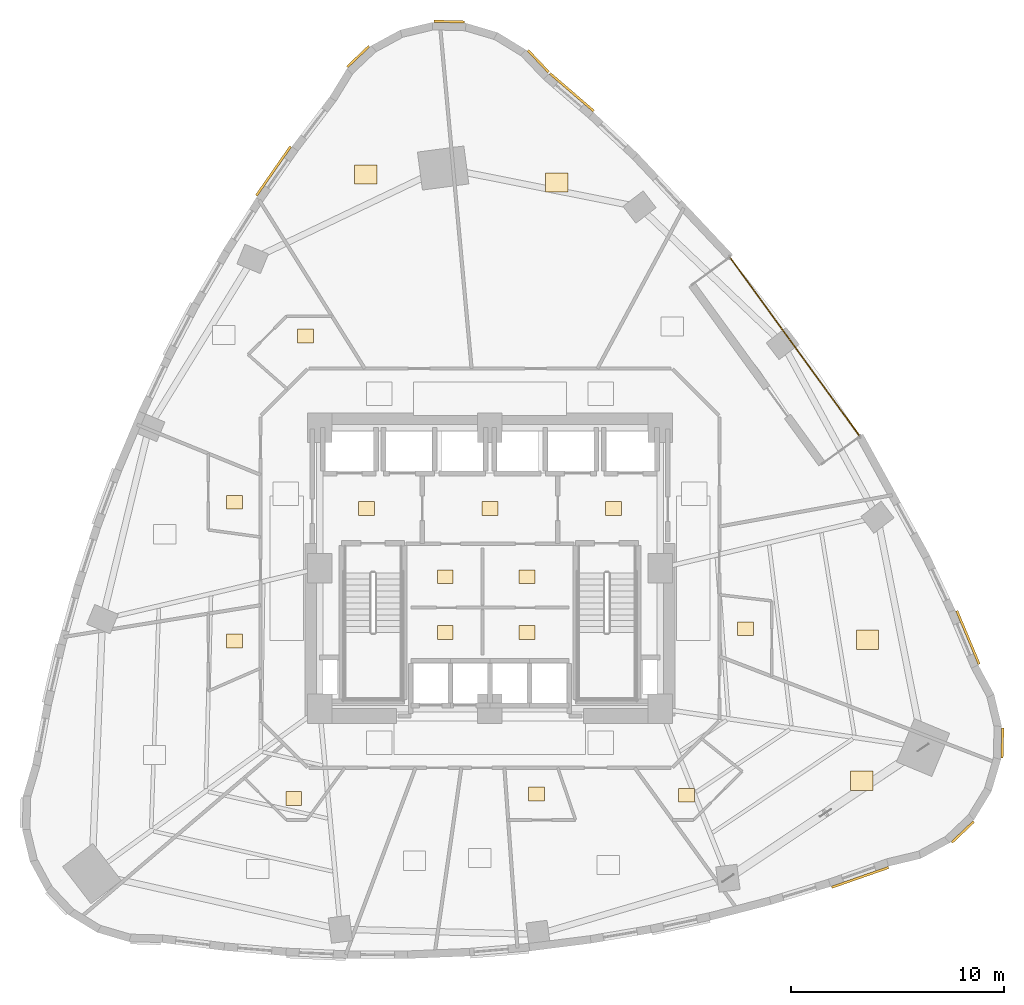
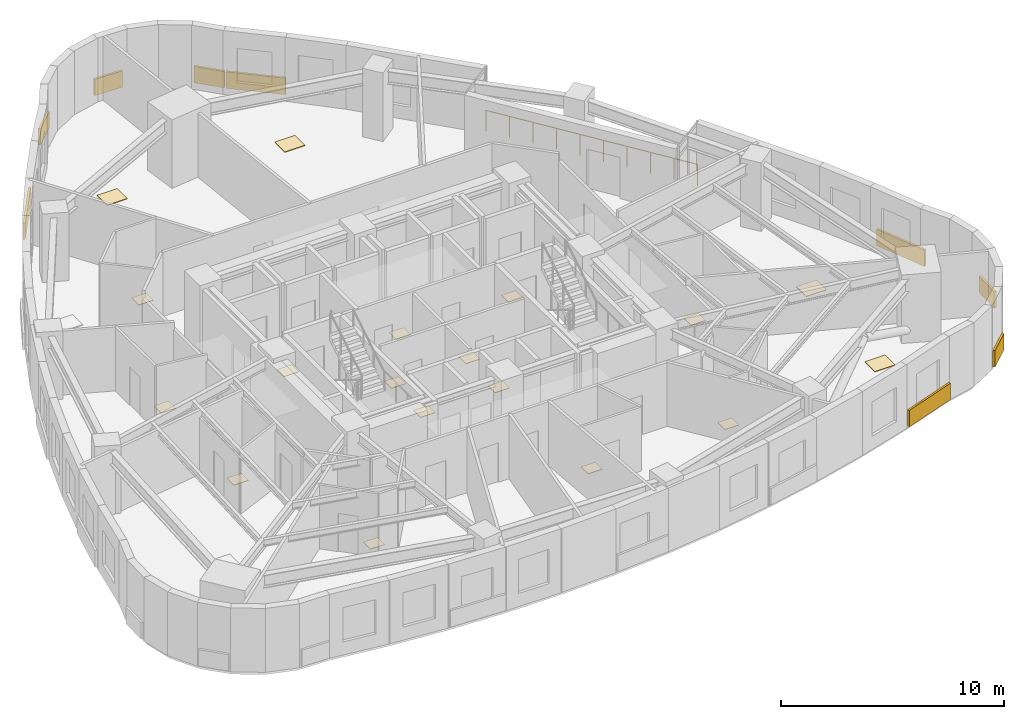
# One storey, part 15 of 15: 27 coverings, 1 railing.
"""IFC4 building model written with IfcOpenShell, lengths in metres."""

from ifc_helpers import new_model, si_unit, direction, frame, origin, origin_2d, place, context, subcontext, project, spatial, rectangle, circle, extrude, material, layer, layer_set, type_object, element, save


model = new_model("IFC4")

# Units and contexts
model_context = context("Model", 3, precision=1e-05, world=origin(), true_north=direction((0.0, 1.0)))
body_context = subcontext(model_context, "Body", "Model", "MODEL_VIEW")
ifc_project = project(units=[si_unit("LENGTHUNIT", "METRE"), si_unit("AREAUNIT", "SQUARE_METRE"), si_unit("VOLUMEUNIT", "CUBIC_METRE"), si_unit("PLANEANGLEUNIT", "RADIAN"), si_unit("MASSUNIT", "GRAM", prefix="KILO")], contexts=[model_context])

# Site, building, storey
site_placement = place(None, origin())
site = spatial("IfcSite", under=ifc_project, at=site_placement, CompositionType="ELEMENT")
building_placement = place(site_placement, origin())
building = spatial("IfcBuilding", under=site, at=building_placement, Name="Ndelora Gate Hotel", CompositionType="ELEMENT")
storey_placement = place(building_placement, frame((0.0, 0.0, 56.75)))
storey = spatial("IfcBuildingStorey", under=building, at=storey_placement, Name="L13", CompositionType="ELEMENT", Elevation=56.75)

# Coverings
ifc_material_1 = material(Name="Terracotta Fired Clay Brick Slip Cladding", Category="masonry")
ifc_layer_1 = layer(ifc_material_1, 0.110107421875)
ifc_layer_set_1 = layer_set([ifc_layer_1], Name="Terracotta Fired Clay Brick Slip Cladding")
covering_type_1 = type_object("IfcCoveringType", Name="COV-CLAD-BRK", PredefinedType="CLADDING", material=ifc_layer_set_1)
for number, where, z_axis, x_axis, name in (
    (1, (2.27001953125, 23.818359375, 0.10009765625), (0.0, 0.0, 1.0), (-0.688354575694, 0.725374371012, 0.0), "L13 Rounded-Corner Brick Cladding Band 1"),
    (2, (-1.913818359375, 25.68115234375, 0.10009765625), (0.0, 0.0, 1.0), (-0.999657324976, 0.026176948308, 0.0), "L13 Rounded-Corner Brick Cladding Band 4"),
    (3, (-6.189453125, 24.039794921875, 0.10009765625), (0.0, 0.0, 1.0), (0.725374371012, 0.688354575694, 0.0), "L13 Rounded-Corner Brick Cladding Band 7"),
):
    element("IfcCovering", number, at=place(storey_placement, frame(where, z_axis=z_axis, x_axis=x_axis)), inside=storey, type_object=covering_type_1, Name=name, PredefinedType="CLADDING", context=body_context, shape_type="SweptSolid", body=[
        extrude(rectangle(XDim=1.4140625, YDim=0.110107421875, at=origin_2d()), origin(), (0.0, 0.0, 1.0), 0.89990234375),
    ])
covering_1_placement = place(storey_placement, frame((-10.170166015625, 18.65966796875, 0.10009765625), z_axis=(0.0, 0.0, 1.0), x_axis=(0.572002721226, 0.820251721675, 0.0)))
element("IfcCovering", 4, at=covering_1_placement, inside=storey, type_object=covering_type_1, Name="L13 Rounded-Corner Brick Cladding Band 10", PredefinedType="CLADDING", context=body_context, shape_type="SweptSolid", body=[
    extrude(rectangle(XDim=2.81103515625, YDim=0.110107421875, at=origin_2d()), origin(), (0.0, 0.0, 1.0), 0.89990234375),
])
covering_2_placement = place(storey_placement, frame((17.39208984375, -14.529052734375, 0.10009765625), z_axis=(0.0, 0.0, 1.0), x_axis=(0.944204046619, 0.329361075947, 0.0)))
element("IfcCovering", 5, at=covering_2_placement, inside=storey, type_object=covering_type_1, Name="L13 Rounded-Corner Brick Cladding Band 40", PredefinedType="CLADDING", context=body_context, shape_type="SweptSolid", body=[
    extrude(rectangle(XDim=2.8369140625, YDim=0.110107421875, at=origin_2d()), origin(), (0.0, 0.0, 1.0), 0.89990234375),
])
for number, where, z_axis, x_axis, name in (
    (6, (22.21435546875, -12.397216796875, 0.10009765625), (0.0, 0.0, 1.0), (0.725374371012, 0.688354575694, 0.0), "L13 Rounded-Corner Brick Cladding Band 43"),
    (7, (24.0771484375, -8.213134765625, 0.10009765625), (0.0, 0.0, 1.0), (0.026176948308, 0.999657324976, 0.0), "L13 Rounded-Corner Brick Cladding Band 46"),
):
    element("IfcCovering", number, at=place(storey_placement, frame(where, z_axis=z_axis, x_axis=x_axis)), inside=storey, type_object=covering_type_1, Name=name, PredefinedType="CLADDING", context=body_context, shape_type="SweptSolid", body=[
        extrude(rectangle(XDim=1.4140625, YDim=0.110107421875, at=origin_2d()), origin(), (0.0, 0.0, 1.0), 0.89990234375),
    ])
for number, where, z_axis, x_axis, name in (
    (8, (22.45849609375, -3.256591796875, 0.10009765625), (0.0, 0.0, 1.0), (-0.38622804535, 0.922403326634, 0.0), "L13 Rounded-Corner Brick Cladding Band 49"),
    (9, (3.8427734375, 22.365478515625, 0.10009765625), (0.0, 0.0, 1.0), (-0.75790666473, 0.652363002904, 0.0), "L13 Rounded-Corner Brick Cladding Band 58"),
):
    element("IfcCovering", number, at=place(storey_placement, frame(where, z_axis=z_axis, x_axis=x_axis)), inside=storey, type_object=covering_type_1, Name=name, PredefinedType="CLADDING", context=body_context, shape_type="SweptSolid", body=[
        extrude(rectangle(XDim=2.719970703125, YDim=0.110107421875, at=origin_2d()), origin(), (0.0, 0.0, 1.0), 0.89990234375),
    ])
ifc_material_2 = material(Name="Engineered Highland Oak Parquet", Category="wood")
ifc_layer_2 = layer(ifc_material_2, 0.030029296875)
ifc_layer_set_2 = layer_set([ifc_layer_2], Name="Engineered Highland Oak Parquet")
covering_type_2 = type_object("IfcCoveringType", Name="COV-FLR-PARQ", PredefinedType="FLOORING", material=ifc_layer_set_2)
for number, where, z_axis, x_axis, name in (
    (10, (17.472412109375, -9.987060546875, 0.0), (0.0, 0.0, 1.0), (1.0, 0.0, 0.0), "L13 Deluxe King Junior Suite 1602 Oak Parquet Flooring"),
    (11, (17.73876953125, -3.36279296875, 0.0), (0.0, 0.0, 1.0), (1.0, 0.0, 0.0), "L13 Twin Junior Suite 1603 Oak Parquet Flooring"),
    (12, (3.144287109375, 18.12158203125, 0.0), (0.0, 0.0, 1.0), (1.0, 0.0, 0.0), "L13 Private Dining Room Oak Parquet Flooring"),
    (13, (-5.843994140625, 18.503173828125, 0.0), (0.0, 0.0, 1.0), (1.0, 0.0, 0.0), "L13 Catering Service Kitchen Oak Parquet Flooring"),
):
    element("IfcCovering", number, at=place(storey_placement, frame(where, z_axis=z_axis, x_axis=x_axis)), inside=storey, type_object=covering_type_2, Name=name, PredefinedType="FLOORING", context=body_context, shape_type="SweptSolid", body=[
        extrude(rectangle(XDim=1.050048828125, YDim=0.89990234375, at=origin_2d()), origin(), (0.0, 0.0, 1.0), 0.030029296875),
    ])
ifc_material_3 = material(Name="Non-Slip Porcelain Wet-Room Tile", Category="ceramic")
ifc_layer_3 = layer(ifc_material_3, 0.02490234375)
ifc_layer_set_3 = layer_set([ifc_layer_3], Name="Non-Slip Porcelain Wet-Room Tile")
covering_type_3 = type_object("IfcCoveringType", Name="COV-FLR-TILE", PredefinedType="FLOORING", material=ifc_layer_set_3)
for number, where, z_axis, x_axis, name in (
    (14, (-5.800048828125, 2.800048828125, 0.0), (0.0, 0.0, 1.0), (1.0, 0.0, 0.0), "L13 Firefighting Lift Lobby West Porcelain Tile Flooring"),
    (15, (5.800048828125, 2.800048828125, 0.0), (0.0, 0.0, 1.0), (1.0, 0.0, 0.0), "L13 Firefighting Lift Lobby East Porcelain Tile Flooring"),
    (16, (0.0, 2.800048828125, 0.0), (0.0, 0.0, 1.0), (1.0, 0.0, 0.0), "L13 Central Passenger Lift Lobby Porcelain Tile Flooring"),
    (17, (-2.10009765625, -0.39990234375, 0.0), (0.0, 0.0, 1.0), (1.0, 0.0, 0.0), "L13 Core Electrical Closet Porcelain Tile Flooring"),
    (18, (1.75, -0.39990234375, 0.0), (0.0, 0.0, 1.0), (1.0, 0.0, 0.0), "L13 Comms Patching Store Porcelain Tile Flooring"),
    (19, (-2.10009765625, -3.02490234375, 0.0), (0.0, 0.0, 1.0), (1.0, 0.0, 0.0), "L13 Valet Laundry Store Porcelain Tile Flooring"),
    (20, (1.75, -3.02490234375, 0.0), (0.0, 0.0, 1.0), (1.0, 0.0, 0.0), "L13 Housekeeping Reserve Store Porcelain Tile Flooring"),
    (21, (2.1845703125, -10.60498046875, 0.0), (0.0, 0.0, 1.0), (1.0, 0.0, 0.0), "L13 En-suite Bathroom 1601 Porcelain Tile Flooring"),
    (22, (9.227783203125, -10.66943359375, 0.0), (0.0, 0.0, 1.0), (1.0, 0.0, 0.0), "L13 En-suite Bathroom 1602 Porcelain Tile Flooring"),
    (23, (12.0048828125, -2.8427734375, 0.0), (0.0, 0.0, 1.0), (1.0, 0.0, 0.0), "L13 En-suite Bathroom 1603 Porcelain Tile Flooring"),
    (24, (-8.6572265625, 10.913330078125, 0.0), (0.0, 0.0, 1.0), (1.0, 0.0, 0.0), "L13 En-suite Bathroom 1604 Porcelain Tile Flooring"),
    (25, (-12.0048828125, 3.095458984375, 0.0), (0.0, 0.0, 1.0), (1.0, 0.0, 0.0), "L13 En-suite Bathroom 1605 Porcelain Tile Flooring"),
    (26, (-12.0048828125, -3.422607421875, 0.0), (0.0, 0.0, 1.0), (1.0, 0.0, 0.0), "L13 En-suite Bathroom 1606 Porcelain Tile Flooring"),
    (27, (-9.21826171875, -10.8212890625, 0.0), (0.0, 0.0, 1.0), (1.0, 0.0, 0.0), "L13 En-suite Bathroom 1607 Porcelain Tile Flooring"),
):
    element("IfcCovering", number, at=place(storey_placement, frame(where, z_axis=z_axis, x_axis=x_axis)), inside=storey, type_object=covering_type_3, Name=name, PredefinedType="FLOORING", context=body_context, shape_type="SweptSolid", body=[
        extrude(rectangle(XDim=0.75, YDim=0.64990234375, at=origin_2d()), origin(), (0.0, 0.0, 1.0), 0.02490234375),
    ])

# Railing
ifc_material_4 = material(Name="Laminated Safety Glass and Bronze Top Rail", Category="glass")
ifc_layer_4 = layer(ifc_material_4, 0.070068359375)
ifc_layer_set_4 = layer_set([ifc_layer_4], Name="Laminated Safety Glass and Bronze Top Rail")
railing_type = type_object("IfcRailingType", Name="RL-BAL-1150", PredefinedType="BALUSTRADE", material=ifc_layer_set_4)
railing_placement = place(storey_placement, frame((17.37744140625, 6.197998046875, 0.0)))
element("IfcRailing", 28, at=railing_placement, inside=storey, type_object=railing_type, Name="L13 Sky-Garden Loggia Terrace Balustrade", PredefinedType="BALUSTRADE", context=body_context, shape_type="SweptSolid", body=[
    extrude(circle(Radius=0.02392578125, at=origin_2d()), frame((0.0, 0.0, 1.1357421875), z_axis=(-0.587787785243, 0.809015154073, 0.0), x_axis=(-0.809015154073, -0.587787785243, 0.0)), (0.0, 0.0, 1.0), 10.400146484375),
    extrude(circle(Radius=0.02099609375, at=origin_2d()), origin(), (0.0, 0.0, 1.0), 1.11181640625),
    extrude(circle(Radius=0.02099609375, at=origin_2d()), frame((-0.67919921875, 0.934814453125, 0.0)), (0.0, 0.0, 1.0), 1.11181640625),
    extrude(circle(Radius=0.02099609375, at=origin_2d()), frame((-1.3583984375, 1.86962890625, 0.0)), (0.0, 0.0, 1.0), 1.11181640625),
    extrude(circle(Radius=0.02099609375, at=origin_2d()), frame((-2.03759765625, 2.8046875, 0.0)), (0.0, 0.0, 1.0), 1.11181640625),
    extrude(circle(Radius=0.02099609375, at=origin_2d()), frame((-2.716796875, 3.739501953125, 0.0)), (0.0, 0.0, 1.0), 1.11181640625),
    extrude(circle(Radius=0.02099609375, at=origin_2d()), frame((-3.396240234375, 4.67431640625, 0.0)), (0.0, 0.0, 1.0), 1.11181640625),
    extrude(circle(Radius=0.02099609375, at=origin_2d()), frame((-4.075439453125, 5.609130859375, 0.0)), (0.0, 0.0, 1.0), 1.11181640625),
    extrude(circle(Radius=0.02099609375, at=origin_2d()), frame((-4.754638671875, 6.544189453125, 0.0)), (0.0, 0.0, 1.0), 1.11181640625),
    extrude(circle(Radius=0.02099609375, at=origin_2d()), frame((-5.433837890625, 7.47900390625, 0.0)), (0.0, 0.0, 1.0), 1.11181640625),
    extrude(circle(Radius=0.02099609375, at=origin_2d()), frame((-6.113037109375, 8.413818359375, 0.0)), (0.0, 0.0, 1.0), 1.11181640625),
])

save(model, "model.ifc")
